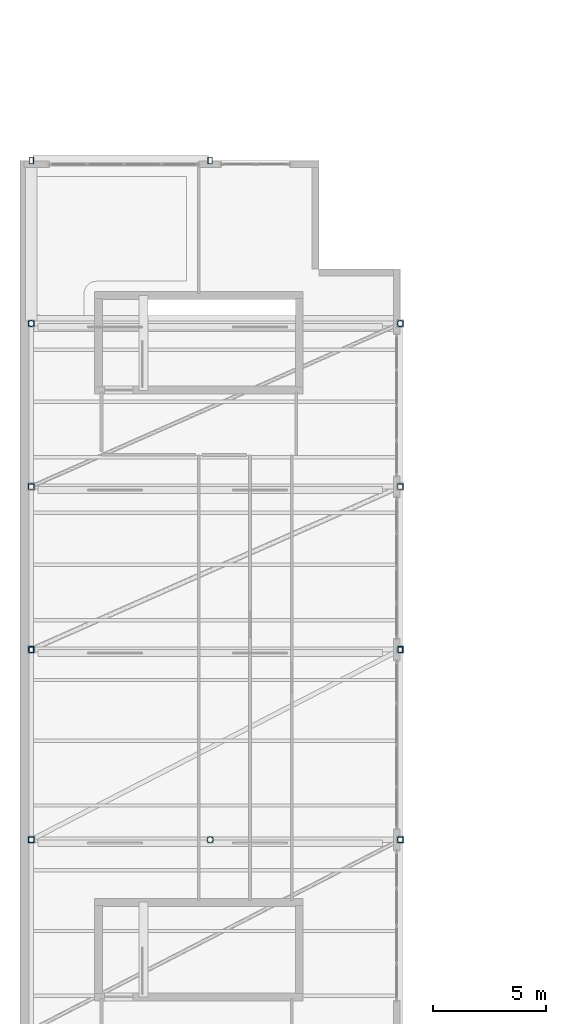
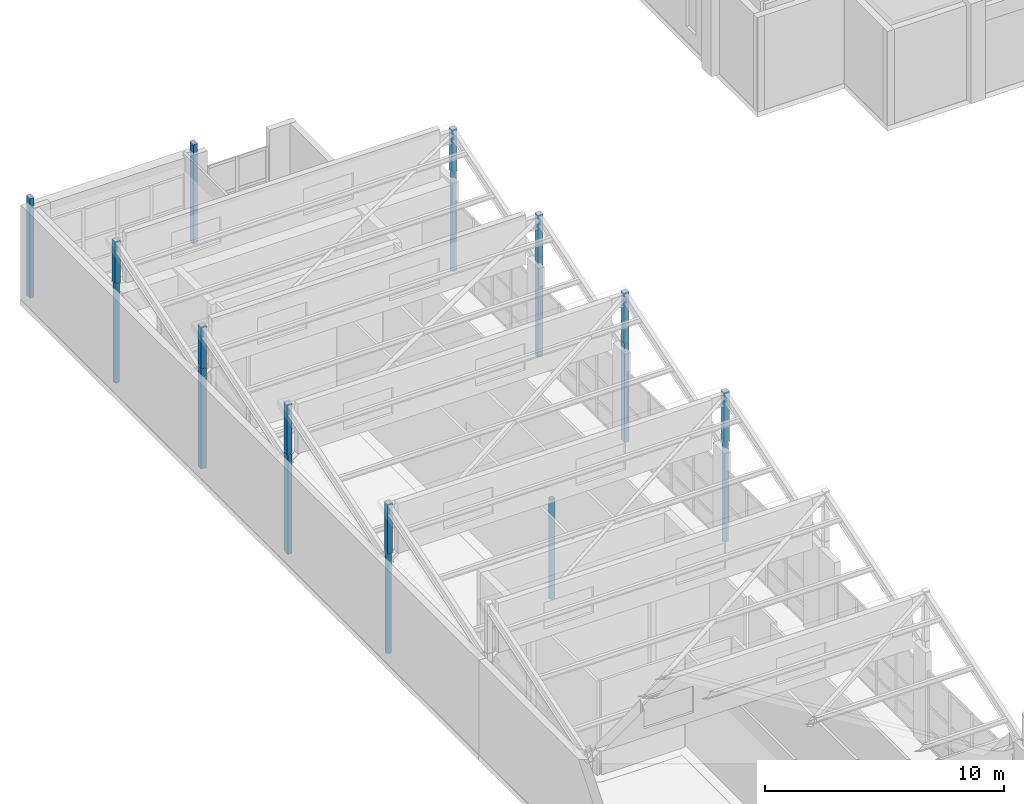
# One storey, part 2 of 34: 19 columns.
"""IFC4 building model written with IfcOpenShell, lengths in metres."""

from ifc_helpers import new_model, si_unit, direction, frame, origin, origin_2d, place, context, subcontext, project, spatial, hollow_rectangle, hollow_circle, extrude, material, material_profile, profile_set, type_object, element, save


model = new_model("IFC4")

# Units and contexts
model_context = context("Model", 3, precision=1e-05, world=origin(), true_north=direction((0.0, 1.0)))
body_context = subcontext(model_context, "Body", "Model", "MODEL_VIEW")
ifc_project = project(units=[si_unit("LENGTHUNIT", "METRE"), si_unit("AREAUNIT", "SQUARE_METRE"), si_unit("VOLUMEUNIT", "CUBIC_METRE"), si_unit("PLANEANGLEUNIT", "RADIAN"), si_unit("MASSUNIT", "GRAM", prefix="KILO")], contexts=[model_context])

# Site, building, storey
site_placement = place(None, origin())
site = spatial("IfcSite", under=ifc_project, at=site_placement, CompositionType="ELEMENT")
building_placement = place(site_placement, origin())
building = spatial("IfcBuilding", under=site, at=building_placement, Name="Quendrovan Civic Courthouse", CompositionType="ELEMENT")
storey_placement = place(building_placement, frame((0.0, 0.0, 25.5)))
storey = spatial("IfcBuildingStorey", under=building, at=storey_placement, Name="L06", CompositionType="ELEMENT", Elevation=25.5)

# Columns
ifc_material = material(Name="Steel ASTM A500 Grade C", Category="steel")
ifc_material_profile_1 = material_profile(ifc_material, hollow_circle(Radius=0.136474609375, WallThickness=0.011962890625, at=origin_2d()), Name="CHS273x12")
ifc_profile_set_1 = profile_set([ifc_material_profile_1], Name="Steel ASTM A500 Grade C")
column_type_1 = type_object("IfcColumnType", Name="COL-STL-CHS273", PredefinedType="COLUMN", material=ifc_profile_set_1)
for number, where, z_axis, x_axis, name in (
    (1, (0.5, 64.800048828125, 0.0), (0.0, 0.0, 1.0), (1.0, 0.0, 0.0), "L06 Column 1-J"),
    (2, (0.5, 87.60009765625, 0.0), (0.0, 0.0, 1.0), (1.0, 0.0, 0.0), "L06 Column 1-M"),
    (3, (8.39990234375, 64.800048828125, 0.0), (0.0, 0.0, 1.0), (1.0, 0.0, 0.0), "L06 Column 2-J"),
    (4, (16.800048828125, 64.800048828125, 0.0), (0.0, 0.0, 1.0), (1.0, 0.0, 0.0), "L06 Column 3-J"),
    (5, (16.800048828125, 87.60009765625, 0.0), (0.0, 0.0, 1.0), (1.0, 0.0, 0.0), "L06 Column 3-M"),
):
    element("IfcColumn", number, at=place(storey_placement, frame(where, z_axis=z_axis, x_axis=x_axis)), inside=storey, type_object=column_type_1, Name=name, PredefinedType="COLUMN", context=body_context, shape_type="SweptSolid", body=[
        extrude(hollow_circle(Radius=0.136474609375, WallThickness=0.011962890625, at=origin_2d()), origin(), (0.0, 0.0, 1.0), 5.10009765625),
    ])
ifc_material_profile_2 = material_profile(ifc_material, hollow_rectangle(XDim=0.25, YDim=0.25, WallThickness=0.011962890625, at=origin_2d()), Name="HSS250x250x12")
ifc_profile_set_2 = profile_set([ifc_material_profile_2], Name="Steel ASTM A500 Grade C")
column_type_2 = type_object("IfcColumnType", Name="COL-STL-HSS250", PredefinedType="COLUMN", material=ifc_profile_set_2)
for number, where, z_axis, x_axis, name in (
    (6, (0.5, 80.39990234375, 0.0), (0.0, 0.0, 1.0), (1.0, 0.0, 0.0), "L06 Column 1-L"),
    (7, (16.800048828125, 80.39990234375, 0.0), (0.0, 0.0, 1.0), (1.0, 0.0, 0.0), "L06 Column 3-L"),
):
    element("IfcColumn", number, at=place(storey_placement, frame(where, z_axis=z_axis, x_axis=x_axis)), inside=storey, type_object=column_type_2, Name=name, PredefinedType="COLUMN", context=body_context, shape_type="SweptSolid", body=[
        extrude(hollow_rectangle(XDim=0.25, YDim=0.25, WallThickness=0.011962890625, at=origin_2d()), origin(), (0.0, 0.0, 1.0), 5.10009765625),
    ])
for number, where, z_axis, x_axis, name in (
    (8, (0.5, 64.800048828125, 5.10009765625), (0.0, 0.0, 1.0), (1.0, 0.0, 0.0), "Sawtooth Clerestory Steel Post W-5"),
    (9, (0.5, 73.199951171875, 5.10009765625), (0.0, 0.0, 1.0), (1.0, 0.0, 0.0), "Sawtooth Clerestory Steel Post W-6"),
):
    element("IfcColumn", number, at=place(storey_placement, frame(where, z_axis=z_axis, x_axis=x_axis)), inside=storey, type_object=column_type_2, Name=name, PredefinedType="COLUMN", context=body_context, shape_type="SweptSolid", body=[
        extrude(hollow_rectangle(XDim=0.25, YDim=0.25, WallThickness=0.011962890625, at=origin_2d()), origin(), (0.0, 0.0, 1.0), 2.54931640625),
    ])
for number, where, z_axis, x_axis, name in (
    (10, (0.5, 80.39990234375, 5.10009765625), (0.0, 0.0, 1.0), (1.0, 0.0, 0.0), "Sawtooth Clerestory Steel Post W-7"),
    (11, (0.5, 87.60009765625, 5.10009765625), (0.0, 0.0, 1.0), (1.0, 0.0, 0.0), "Sawtooth Clerestory Steel Post W-8"),
):
    element("IfcColumn", number, at=place(storey_placement, frame(where, z_axis=z_axis, x_axis=x_axis)), inside=storey, type_object=column_type_2, Name=name, PredefinedType="COLUMN", context=body_context, shape_type="SweptSolid", body=[
        extrude(hollow_rectangle(XDim=0.25, YDim=0.25, WallThickness=0.011962890625, at=origin_2d()), origin(), (0.0, 0.0, 1.0), 2.159423828125),
    ])
for number, where, z_axis, x_axis, name in (
    (12, (16.800048828125, 64.800048828125, 5.10009765625), (0.0, 0.0, 1.0), (1.0, 0.0, 0.0), "Sawtooth Clerestory Steel Post E-5"),
    (13, (16.800048828125, 73.199951171875, 5.10009765625), (0.0, 0.0, 1.0), (1.0, 0.0, 0.0), "Sawtooth Clerestory Steel Post E-6"),
):
    element("IfcColumn", number, at=place(storey_placement, frame(where, z_axis=z_axis, x_axis=x_axis)), inside=storey, type_object=column_type_2, Name=name, PredefinedType="COLUMN", context=body_context, shape_type="SweptSolid", body=[
        extrude(hollow_rectangle(XDim=0.25, YDim=0.25, WallThickness=0.011962890625, at=origin_2d()), origin(), (0.0, 0.0, 1.0), 2.54931640625),
    ])
for number, where, z_axis, x_axis, name in (
    (14, (16.800048828125, 80.39990234375, 5.10009765625), (0.0, 0.0, 1.0), (1.0, 0.0, 0.0), "Sawtooth Clerestory Steel Post E-7"),
    (15, (16.800048828125, 87.60009765625, 5.10009765625), (0.0, 0.0, 1.0), (1.0, 0.0, 0.0), "Sawtooth Clerestory Steel Post E-8"),
):
    element("IfcColumn", number, at=place(storey_placement, frame(where, z_axis=z_axis, x_axis=x_axis)), inside=storey, type_object=column_type_2, Name=name, PredefinedType="COLUMN", context=body_context, shape_type="SweptSolid", body=[
        extrude(hollow_rectangle(XDim=0.25, YDim=0.25, WallThickness=0.011962890625, at=origin_2d()), origin(), (0.0, 0.0, 1.0), 2.159423828125),
    ])
ifc_material_profile_3 = material_profile(ifc_material, hollow_rectangle(XDim=0.199951171875, YDim=0.300048828125, WallThickness=0.011962890625, at=origin_2d()), Name="HSS300x200x12")
ifc_profile_set_3 = profile_set([ifc_material_profile_3], Name="Steel ASTM A500 Grade C")
column_type_3 = type_object("IfcColumnType", Name="COL-STL-HSS300", PredefinedType="COLUMN", material=ifc_profile_set_3)
for number, where, z_axis, x_axis, name in (
    (16, (0.5, 73.199951171875, 0.0), (0.0, 0.0, 1.0), (1.0, 0.0, 0.0), "L06 Column 1-K"),
    (17, (0.5, 94.800048828125, 0.0), (0.0, 0.0, 1.0), (1.0, 0.0, 0.0), "L06 Column 1-N"),
    (18, (8.39990234375, 94.800048828125, 0.0), (0.0, 0.0, 1.0), (1.0, 0.0, 0.0), "L06 Column 2-N"),
    (19, (16.800048828125, 73.199951171875, 0.0), (0.0, 0.0, 1.0), (1.0, 0.0, 0.0), "L06 Column 3-K"),
):
    element("IfcColumn", number, at=place(storey_placement, frame(where, z_axis=z_axis, x_axis=x_axis)), inside=storey, type_object=column_type_3, Name=name, PredefinedType="COLUMN", context=body_context, shape_type="SweptSolid", body=[
        extrude(hollow_rectangle(XDim=0.199951171875, YDim=0.300048828125, WallThickness=0.011962890625, at=origin_2d()), origin(), (0.0, 0.0, 1.0), 5.10009765625),
    ])

save(model, "model.ifc")
